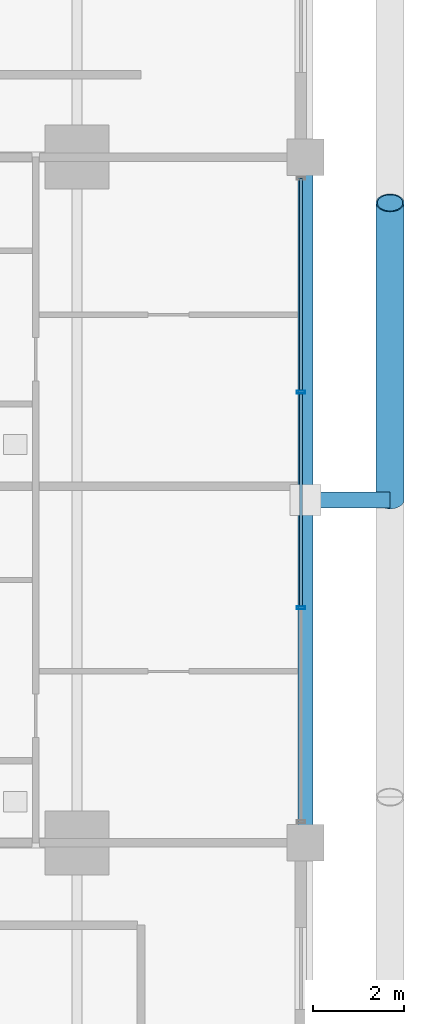
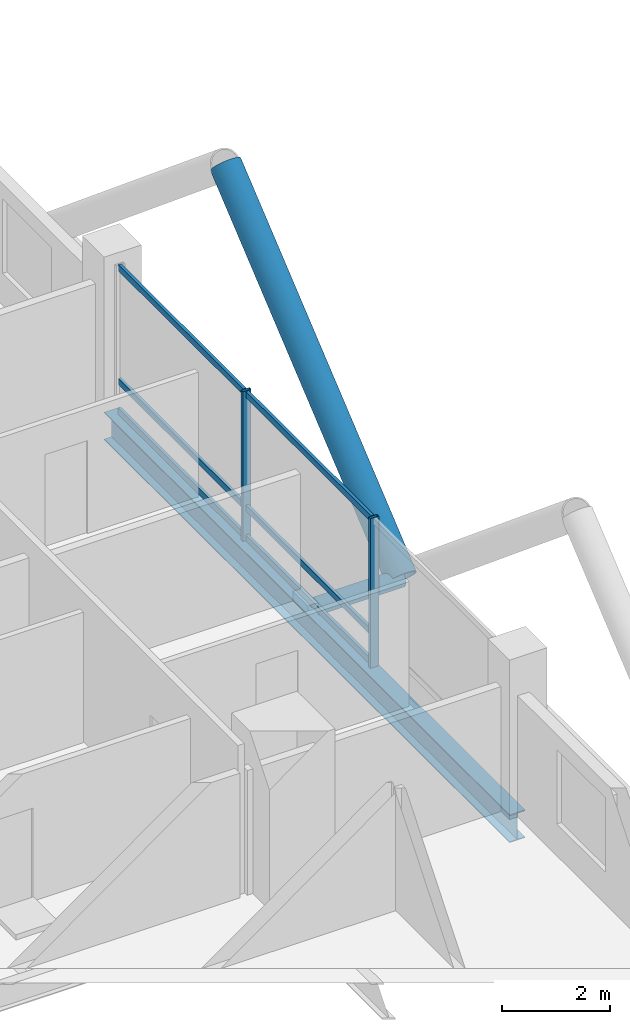
# One storey, part 12 of 27: 10 members, 1 beam, 1 element without a shape of its own.
"""IFC4 building model written with IfcOpenShell, lengths in metres."""

from ifc_helpers import new_model, si_unit, direction, frame, origin, origin_2d, place, context, subcontext, project, spatial, hollow_rectangle, hollow_circle, i_section, extrude, material, layer, layer_set, material_profile, profile_set, type_object, element, aggregate, save


model = new_model("IFC4")

# Units and contexts
model_context = context("Model", 3, precision=1e-05, world=origin(), true_north=direction((0.0, 1.0)))
body_context = subcontext(model_context, "Body", "Model", "MODEL_VIEW")
ifc_project = project(units=[si_unit("LENGTHUNIT", "METRE"), si_unit("AREAUNIT", "SQUARE_METRE"), si_unit("VOLUMEUNIT", "CUBIC_METRE"), si_unit("PLANEANGLEUNIT", "RADIAN"), si_unit("MASSUNIT", "GRAM", prefix="KILO")], contexts=[model_context])

# Site, building, storey
site_placement = place(None, origin())
site = spatial("IfcSite", under=ifc_project, at=site_placement, CompositionType="ELEMENT")
building_placement = place(site_placement, origin())
building = spatial("IfcBuilding", under=site, at=building_placement, Name="Barlavira Tower and Art Museum", CompositionType="ELEMENT")
storey_placement = place(building_placement, frame((0.0, 0.0, 72.0)))
storey = spatial("IfcBuildingStorey", under=building, at=storey_placement, Name="L17", CompositionType="ELEMENT", Elevation=72.0)

# Curtain wall, members
ifc_material_1 = material(Name="Low-iron coastal laminated glass", Category="glass")
ifc_layer = layer(ifc_material_1, 0.179931640625, Name="Low-iron coastal laminated glass")
ifc_layer_set = layer_set([ifc_layer], Name="Low-iron coastal laminated glass")
curtain_wall_type = type_object("IfcCurtainWallType", Name="Pale-Metal Unitised Curtain Wall Zone 1", PredefinedType="NOTDEFINED", material=ifc_layer_set)
curtain_wall_placement = place(storey_placement, origin())
curtain_wall = element("IfcCurtainWall", 1, at=curtain_wall_placement, inside=storey, type_object=curtain_wall_type, Name="L17 Curtain Wall CW1-L17-E-B3", PredefinedType="NOTDEFINED")
ifc_material_2 = material(Name="Pale anodised aluminium", Category="aluminium")
ifc_material_profile_1 = material_profile(ifc_material_2, hollow_rectangle(XDim=0.06494140625, YDim=0.179931640625, WallThickness=0.00390625, at=origin_2d()), Name="ALU-MULL 65x180x4")
ifc_profile_set_1 = profile_set([ifc_material_profile_1], Name="Pale anodised aluminium")
member_type_1 = type_object("IfcMemberType", Name="Curtain Wall Pale-Metal Mullion 65x180", PredefinedType="MULLION", material=ifc_profile_set_1)
member_1_placement = place(storey_placement, frame((21.89990234375, -2.360107421875, 0.0), z_axis=(0.0, 0.0, 1.0), x_axis=(0.0, 1.0, 0.0)))
member_1 = element("IfcMember", 2, at=member_1_placement, type_object=member_type_1, Name="CW1-L17-E-B3 Mullion 1", PredefinedType="MULLION", context=body_context, shape_type="SweptSolid", body=[
    extrude(hollow_rectangle(XDim=0.06494140625, YDim=0.179931640625, WallThickness=0.00390625, at=origin_2d()), origin(), (0.0, 0.0, 1.0), 3.3798828125),
])
member_2_placement = place(storey_placement, frame((21.89990234375, 2.360107421875, 0.0), z_axis=(0.0, 0.0, 1.0), x_axis=(0.0, 1.0, 0.0)))
member_2 = element("IfcMember", 3, at=member_2_placement, type_object=member_type_1, Name="CW1-L17-E-B3 Mullion 2", PredefinedType="MULLION", context=body_context, shape_type="SweptSolid", body=[
    extrude(hollow_rectangle(XDim=0.06494140625, YDim=0.179931640625, WallThickness=0.00390625, at=origin_2d()), origin(), (0.0, 0.0, 1.0), 3.3798828125),
])
ifc_material_profile_2 = material_profile(ifc_material_2, hollow_rectangle(XDim=0.06494140625, YDim=0.139892578125, WallThickness=0.00390625, at=origin_2d()), Name="ALU-TRAN 65x140x4")
ifc_profile_set_2 = profile_set([ifc_material_profile_2], Name="Pale anodised aluminium")
member_type_2 = type_object("IfcMemberType", Name="Curtain Wall Pale-Metal Transom 65x140", PredefinedType="USERDEFINED", material=ifc_profile_set_2)
member_3_placement = place(storey_placement, frame((21.89990234375, -2.31494140625, 0.070068359375), z_axis=(0.0, 1.0, 0.0), x_axis=(-1.0, 0.0, 0.0)))
member_3 = element("IfcMember", 4, at=member_3_placement, type_object=member_type_2, Name="CW1-L17-E-B3 Transom 1.1", ObjectType="TRANSOM", PredefinedType="USERDEFINED", context=body_context, shape_type="SweptSolid", body=[
    extrude(hollow_rectangle(XDim=0.06494140625, YDim=0.139892578125, WallThickness=0.00390625, at=origin_2d()), origin(), (0.0, 0.0, 1.0), 4.6298828125),
])
member_4_placement = place(storey_placement, frame((21.89990234375, -2.31494140625, 0.743896484375), z_axis=(0.0, 1.0, 0.0), x_axis=(-1.0, 0.0, 0.0)))
member_4 = element("IfcMember", 5, at=member_4_placement, type_object=member_type_2, Name="CW1-L17-E-B3 Transom 1.2", ObjectType="TRANSOM", PredefinedType="USERDEFINED", context=body_context, shape_type="SweptSolid", body=[
    extrude(hollow_rectangle(XDim=0.06494140625, YDim=0.139892578125, WallThickness=0.00390625, at=origin_2d()), origin(), (0.0, 0.0, 1.0), 4.6298828125),
])
member_5_placement = place(storey_placement, frame((21.89990234375, -2.31494140625, 3.31005859375), z_axis=(0.0, 1.0, 0.0), x_axis=(-1.0, 0.0, 0.0)))
member_5 = element("IfcMember", 6, at=member_5_placement, type_object=member_type_2, Name="CW1-L17-E-B3 Transom 1.3", ObjectType="TRANSOM", PredefinedType="USERDEFINED", context=body_context, shape_type="SweptSolid", body=[
    extrude(hollow_rectangle(XDim=0.06494140625, YDim=0.139892578125, WallThickness=0.00390625, at=origin_2d()), origin(), (0.0, 0.0, 1.0), 4.6298828125),
])
member_6_placement = place(storey_placement, frame((21.89990234375, 2.405029296875, 0.070068359375), z_axis=(0.0, 1.0, 0.0), x_axis=(-1.0, 0.0, 0.0)))
member_6 = element("IfcMember", 7, at=member_6_placement, type_object=member_type_2, Name="CW1-L17-E-B3 Transom 2.1", ObjectType="TRANSOM", PredefinedType="USERDEFINED", context=body_context, shape_type="SweptSolid", body=[
    extrude(hollow_rectangle(XDim=0.06494140625, YDim=0.139892578125, WallThickness=0.00390625, at=origin_2d()), origin(), (0.0, 0.0, 1.0), 4.6298828125),
])
member_7_placement = place(storey_placement, frame((21.89990234375, 2.405029296875, 0.743896484375), z_axis=(0.0, 1.0, 0.0), x_axis=(-1.0, 0.0, 0.0)))
member_7 = element("IfcMember", 8, at=member_7_placement, type_object=member_type_2, Name="CW1-L17-E-B3 Transom 2.2", ObjectType="TRANSOM", PredefinedType="USERDEFINED", context=body_context, shape_type="SweptSolid", body=[
    extrude(hollow_rectangle(XDim=0.06494140625, YDim=0.139892578125, WallThickness=0.00390625, at=origin_2d()), origin(), (0.0, 0.0, 1.0), 4.6298828125),
])
member_8_placement = place(storey_placement, frame((21.89990234375, 2.405029296875, 3.31005859375), z_axis=(0.0, 1.0, 0.0), x_axis=(-1.0, 0.0, 0.0)))
member_8 = element("IfcMember", 9, at=member_8_placement, type_object=member_type_2, Name="CW1-L17-E-B3 Transom 2.3", ObjectType="TRANSOM", PredefinedType="USERDEFINED", context=body_context, shape_type="SweptSolid", body=[
    extrude(hollow_rectangle(XDim=0.06494140625, YDim=0.139892578125, WallThickness=0.00390625, at=origin_2d()), origin(), (0.0, 0.0, 1.0), 4.6298828125),
])
aggregate(curtain_wall, [member_1, member_2, member_3, member_4, member_5, member_6, member_7, member_8])

# Members
ifc_material_3 = material(Name="Steel S355", Category="steel")
ifc_material_profile_3 = material_profile(ifc_material_3, hollow_circle(Radius=0.304931640625, WallThickness=0.028076171875, at=origin_2d()), Name="CHS 610.0x28.0")
ifc_profile_set_3 = profile_set([ifc_material_profile_3], Name="Steel S355")
member_type_3 = type_object("IfcMemberType", Name="Pale-Metal Exoskeleton Diagrid Tube CHS 610x28 Steel S355", PredefinedType="BRACE", material=ifc_profile_set_3)
member_9_placement = place(storey_placement, frame((23.85009765625, 0.0, -0.1201171875), z_axis=(0.0, 0.76918185268, 0.639029950399), x_axis=(-1.0, 0.0, 0.0)))
element("IfcMember", 10, at=member_9_placement, inside=storey, type_object=member_type_3, Name="L17 Exoskeleton Diagrid Tube E", PredefinedType="BRACE", context=body_context, shape_type="SweptSolid", body=[
    extrude(hollow_circle(Radius=0.304931640625, WallThickness=0.028076171875, at=origin_2d()), origin(), (0.0, 0.0, 1.0), 8.450439453125),
])
ifc_material_profile_4 = material_profile(ifc_material_3, hollow_circle(Radius=0.177734375, WallThickness=0.01611328125, at=origin_2d()), Name="CHS 355.6x16.0")
ifc_profile_set_4 = profile_set([ifc_material_profile_4], Name="Steel S355")
member_type_4 = type_object("IfcMemberType", Name="Pale-Metal Exoskeleton Tie Strut CHS 356x16 Steel S355", PredefinedType="STRUT", material=ifc_profile_set_4)
member_10_placement = place(storey_placement, frame((23.85009765625, 0.0, -0.1201171875), z_axis=(-1.0, 0.0, 0.0), x_axis=(0.0, -1.0, 0.0)))
element("IfcMember", 11, at=member_10_placement, inside=storey, type_object=member_type_4, Name="L17 Exoskeleton Tie Strut E2", PredefinedType="STRUT", context=body_context, shape_type="SweptSolid", body=[
    extrude(hollow_circle(Radius=0.177734375, WallThickness=0.01611328125, at=origin_2d()), origin(), (0.0, 0.0, 1.0), 1.85009765625),
])

# Beam
ifc_material_profile_5 = material_profile(ifc_material_3, i_section(OverallWidth=0.327880859375, OverallDepth=0.62890625, WebThickness=0.013916015625, FlangeThickness=0.021484375, at=origin_2d()), Name="W610x174.0")
ifc_profile_set_5 = profile_set([ifc_material_profile_5], Name="Steel S355")
beam_type = type_object("IfcBeamType", Name="Perimeter Spandrel Edge Beam W610x174 Steel S355", PredefinedType="SPANDREL", material=ifc_profile_set_5)
beam_placement = place(storey_placement, frame((22.0, -7.5, -0.534423828125), z_axis=(0.0, 1.0, 0.0), x_axis=(-1.0, 0.0, 0.0)))
element("IfcBeam", 12, at=beam_placement, inside=storey, type_object=beam_type, Name="L17 Spandrel 6", PredefinedType="SPANDREL", context=body_context, shape_type="SweptSolid", body=[
    extrude(i_section(OverallWidth=0.327880859375, OverallDepth=0.62890625, WebThickness=0.013916015625, FlangeThickness=0.021484375, at=origin_2d()), origin(), (0.0, 0.0, 1.0), 15.0),
])

save(model, "model.ifc")
